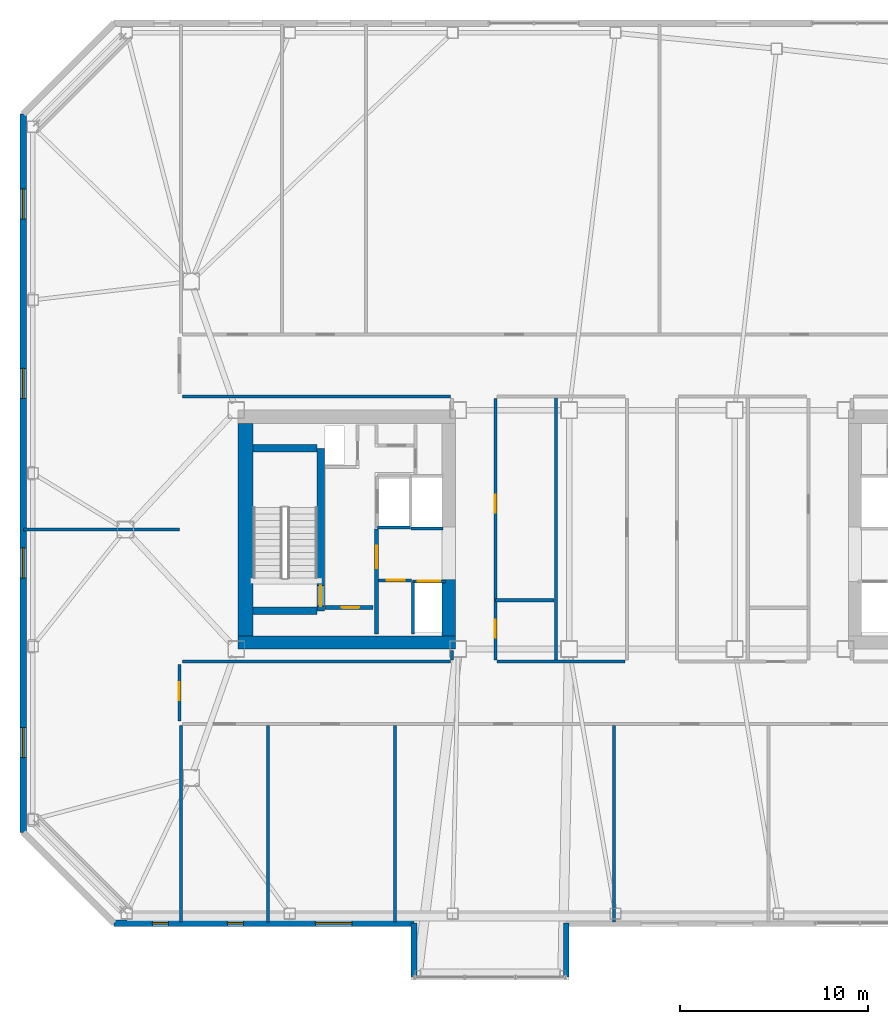
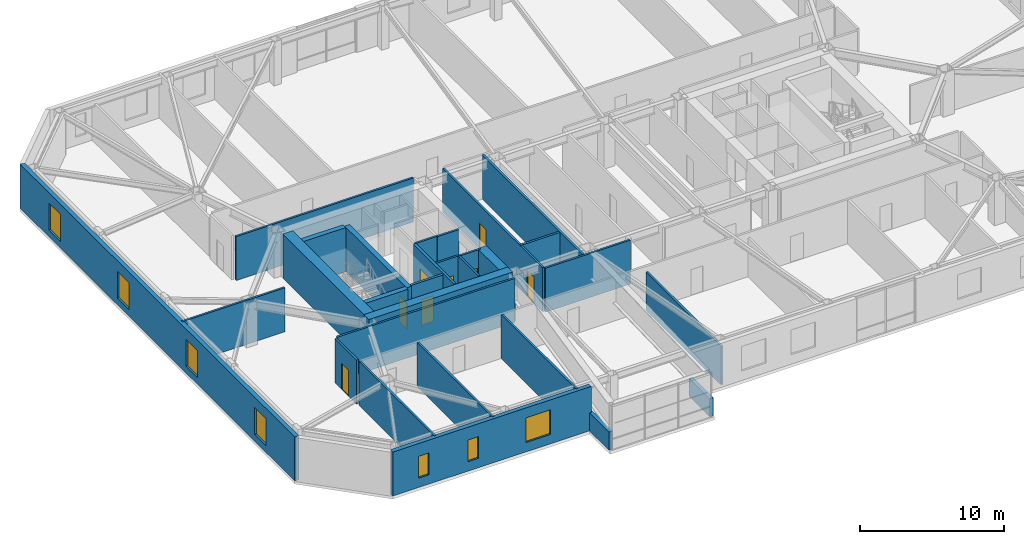
# One storey, part 11 of 19: 30 walls, 8 doors, 7 windows, 15 openings.
"""IFC4 building model written with IfcOpenShell, lengths in metres."""

import ifcopenshell
import ifcopenshell.guid

model = None  # the IFC model being written
_history = None  # IfcOwnerHistory: only IFC2X3 demands one
_inside = {}  # id of a spatial element -> (the spatial element, [elements in it])
_under = {}  # id of a project, library or spatial element -> (it, [spatial elements below it])
_declared = {}  # id of a project -> (the project, [libraries it declares])
_typed = {}  # id of a type object -> (the type object, [elements of that type])
_made_of = {}  # id of a material, layer set ... -> (it, [elements and type objects made of it])


def new_model(schema):
    """Start an empty IFC model of exactly this schema.

    Asked for "IFC4X3", IfcOpenShell would pick the latest addendum, in which some entities
    have other attributes; the version numbers below select the first issue.
    IFC2X3 requires an IfcOwnerHistory on every rooted entity: one is made here for all.
    """
    global model, _history
    if schema == "IFC4X3":
        model = ifcopenshell.file(schema_version=(4, 3, 0, 0))
    else:
        model = ifcopenshell.file(schema=schema)
    _inside.clear()
    _under.clear()
    _declared.clear()
    _typed.clear()
    _made_of.clear()
    _history = None
    if model.schema == "IFC2X3":
        org = make("IfcOrganization", Name="unknown")
        user = make(
            "IfcPersonAndOrganization",
            ThePerson=make("IfcPerson", FamilyName="unknown"),
            TheOrganization=org,
        )
        app = make(
            "IfcApplication",
            ApplicationDeveloper=org,
            Version="unknown",
            ApplicationFullName="unknown",
            ApplicationIdentifier="unknown",
        )
        _history = make(
            "IfcOwnerHistory",
            OwningUser=user,
            OwningApplication=app,
            ChangeAction="ADDED",
            CreationDate=0,
        )
    return model


def make(cls, **values):
    """One entity of the class cls with the attributes given. An attribute that is None is left unset."""
    return model.create_entity(
        cls, **{name: value for name, value in values.items() if value is not None}
    )


def rooted(cls, **values):
    """An entity with a GlobalId (a new one), such as an element, a storey or a relation."""
    return make(cls, GlobalId=ifcopenshell.guid.new(), OwnerHistory=_history, **values)


def si_unit(unit_type, name, prefix=None):
    """IfcSIUnit, for example si_unit("LENGTHUNIT", "METRE", prefix="MILLI")."""
    return make("IfcSIUnit", UnitType=unit_type, Prefix=prefix, Name=name)


def assignment(units):
    """IfcUnitAssignment: the units of a project."""
    return None if units is None else make("IfcUnitAssignment", Units=units)


def point(xyz):
    """IfcCartesianPoint."""
    return None if xyz is None else make("IfcCartesianPoint", Coordinates=xyz)


def direction(xyz):
    """IfcDirection."""
    return None if xyz is None else make("IfcDirection", DirectionRatios=xyz)


def frame(location, z_axis=None, x_axis=None):
    """IfcAxis2Placement3D, a coordinate frame: its origin and axes. An axis left out is left unset."""
    return make(
        "IfcAxis2Placement3D",
        Location=point(location),
        Axis=direction(z_axis),
        RefDirection=direction(x_axis),
    )


def frame_2d(location, x_axis=None):
    """IfcAxis2Placement2D, a coordinate frame in the plane: its origin and x axis."""
    return make(
        "IfcAxis2Placement2D", Location=point(location), RefDirection=direction(x_axis)
    )


def origin():
    """The frame at (0, 0, 0) with its axes left unset."""
    return frame((0.0, 0.0, 0.0))


def place(relative_to, where):
    """IfcLocalPlacement: puts the frame where relative to a parent placement (None: the world)."""
    return make(
        "IfcLocalPlacement", PlacementRelTo=relative_to, RelativePlacement=where
    )


def context(
    kind, dimensions, precision=None, world=None, true_north=None, identifier=None
):
    """IfcGeometricRepresentationContext, for example the 3D "Model" context."""
    return make(
        "IfcGeometricRepresentationContext",
        ContextIdentifier=identifier,
        ContextType=kind,
        CoordinateSpaceDimension=dimensions,
        Precision=precision,
        WorldCoordinateSystem=world,
        TrueNorth=true_north,
    )


def subcontext(parent, identifier, kind, view, scale=None):
    """IfcGeometricRepresentationSubContext, for example "Body" below "Model"."""
    return make(
        "IfcGeometricRepresentationSubContext",
        ContextIdentifier=identifier,
        ContextType=kind,
        ParentContext=parent,
        TargetScale=scale,
        TargetView=view,
    )


def project(units=None, contexts=None):
    """IfcProject with its units and contexts."""
    return rooted(
        "IfcProject",
        Name="project",
        RepresentationContexts=contexts,
        UnitsInContext=assignment(units),
    )


def spatial(cls, under=None, at=None, **own):
    """A site, building, storey or space (cls), placed at a placement, below another one or the project."""
    s = rooted(cls, ObjectPlacement=at, **own)
    if under is not None:
        _under.setdefault(under.id(), (under, []))[1].append(s)
    return s


def profile(cls, at=None, kind="AREA", **sizes):
    """A parametric profile (cls). Its sizes go by their IFC names, for example OverallWidth=200.0."""
    return make(cls, ProfileType=kind, Position=at, **sizes)


def rectangle(**sizes):
    """IfcRectangleProfileDef."""
    return profile("IfcRectangleProfileDef", **sizes)


def extrude(swept, where, along, depth):
    """IfcExtrudedAreaSolid: the profile swept, set in the frame where, extruded along a direction by depth."""
    return make(
        "IfcExtrudedAreaSolid",
        SweptArea=swept,
        Position=where,
        ExtrudedDirection=direction(along),
        Depth=depth,
    )


def shape(context_of_items, identifier, shape_type, items):
    """IfcShapeRepresentation: the items that make up one representation, for example the "Body"."""
    return make(
        "IfcShapeRepresentation",
        ContextOfItems=context_of_items,
        RepresentationIdentifier=identifier,
        RepresentationType=shape_type,
        Items=items,
    )


def material(Name=None, Category=None):
    """IfcMaterial."""
    return make("IfcMaterial", Name=Name, Category=Category)


def layer(
    of_material, thickness, ventilated=None, Name=None, Category=None, Priority=None
):
    """IfcMaterialLayer: one layer of a wall or slab, of a material (None: an air gap)."""
    return make(
        "IfcMaterialLayer",
        Material=of_material,
        LayerThickness=thickness,
        IsVentilated=ventilated,
        Name=Name,
        Category=Category,
        Priority=Priority,
    )


def layer_set(layers, Name=None):
    """IfcMaterialLayerSet."""
    return make("IfcMaterialLayerSet", MaterialLayers=layers, LayerSetName=Name)


def made_of(thing, what):
    """Note that an element or type object is made of a material, layer set ...; save() writes the relation."""
    if what is not None:
        _made_of.setdefault(what.id(), (what, []))[1].append(thing)
    return thing


def type_object(cls, material=None, **own):
    """A type object (cls), such as IfcWallType, which elements share."""
    return made_of(rooted(cls, **own), material)


def element(
    cls,
    number,
    at=None,
    inside=None,
    cuts=None,
    type_object=None,
    material=None,
    context=None,
    identifier="Body",
    shape_type=None,
    held_by="IfcProductDefinitionShape",
    body=None,
    shapes=None,
    **own,
):
    """One element of the class cls, such as IfcWall. Its Tag is "e" and its number.

    at: its placement. inside: the storey or other place that contains it. cuts: it is an
    opening in that element (IfcRelVoidsElement). A single representation is given by context,
    identifier, shape_type and body (its items); several are given by shapes. held_by: the class
    of the entity that holds the representations. save() writes the other relations.
    """
    e = rooted(cls, Tag="e%d" % number, ObjectPlacement=at, **own)
    if body is not None:
        shapes = [shape(context, identifier, shape_type, body)]
    if shapes is not None:
        e.Representation = make(held_by, Representations=shapes)
    if inside is not None:
        _inside.setdefault(inside.id(), (inside, []))[1].append(e)
    if cuts is not None:
        rooted(
            "IfcRelVoidsElement", RelatingBuildingElement=cuts, RelatedOpeningElement=e
        )
    if type_object is not None:
        _typed.setdefault(type_object.id(), (type_object, []))[1].append(e)
    return made_of(e, material)


def fill(opening, filler):
    """IfcRelFillsElement: the door or window that sits in an opening."""
    return rooted(
        "IfcRelFillsElement",
        RelatingOpeningElement=opening,
        RelatedBuildingElement=filler,
    )


def aggregate(whole, parts):
    """IfcRelAggregates: a whole, such as a stair, and the parts it consists of."""
    return rooted("IfcRelAggregates", RelatingObject=whole, RelatedObjects=parts)


def save(model, path):
    """Write the relations noted so far, then the file.

    IfcRelAggregates (storeys below a building ...), IfcRelContainedInSpatialStructure (elements
    in a storey), IfcRelDefinesByType, IfcRelAssociatesMaterial and IfcRelDeclares: one each for
    every whole, place, type object, material and project.
    """
    for whole, parts in _under.values():
        aggregate(whole, parts)
    for where, things in _inside.values():
        rooted(
            "IfcRelContainedInSpatialStructure",
            RelatedElements=things,
            RelatingStructure=where,
        )
    for kind, things in _typed.values():
        rooted("IfcRelDefinesByType", RelatedObjects=things, RelatingType=kind)
    for what, things in _made_of.values():
        rooted("IfcRelAssociatesMaterial", RelatedObjects=things, RelatingMaterial=what)
    for by, libraries in _declared.values():
        rooted("IfcRelDeclares", RelatingContext=by, RelatedDefinitions=libraries)
    model.write(path)


model = new_model("IFC4")

# Units and contexts
model_context = context("Model", 3, precision=1e-05, world=origin(), true_north=direction((0.0, 1.0)))
body_context = subcontext(model_context, "Body", "Model", "MODEL_VIEW")
ifc_project = project(units=[si_unit("LENGTHUNIT", "METRE"), si_unit("AREAUNIT", "SQUARE_METRE"), si_unit("VOLUMEUNIT", "CUBIC_METRE"), si_unit("PLANEANGLEUNIT", "RADIAN"), si_unit("MASSUNIT", "GRAM", prefix="KILO")], contexts=[model_context])

# Site, building, storey
site_placement = place(None, origin())
site = spatial("IfcSite", under=ifc_project, at=site_placement, CompositionType="ELEMENT")
building_placement = place(site_placement, origin())
building = spatial("IfcBuilding", under=site, at=building_placement, Name="Tavrogorsk Clinical Tower", CompositionType="ELEMENT")
storey_placement = place(building_placement, frame((0.0, 0.0, 156.199951171875)))
storey = spatial("IfcBuildingStorey", under=building, at=storey_placement, Name="L35", CompositionType="ELEMENT", Elevation=156.199951171875)

# Wall, opening, door
ifc_material_1 = material(Name="Concrete B60", Category="concrete")
ifc_layer_1 = layer(ifc_material_1, 0.199951171875)
ifc_layer_set_1 = layer_set([ifc_layer_1], Name="Concrete B60")
wall_type_1 = type_object("IfcWallType", Name="CoreFireWall_200", PredefinedType="SOLIDWALL", material=ifc_layer_set_1)
wall_1_placement = place(storey_placement, frame((-17.3798828125, -4.139892578125, 0.0), z_axis=(0.0, 0.0, 1.0), x_axis=(1.0, 0.0, 0.0)))
wall_1 = element("IfcWall", 1, at=wall_1_placement, inside=storey, type_object=wall_type_1, Name="L35 Core West South Core Room Fire Wall", PredefinedType="SOLIDWALL", context=body_context, shape_type="SweptSolid", body=[
    extrude(rectangle(XDim=2.554931640625, YDim=0.199951171875, at=frame_2d((1.27734375, 0.0))), origin(), (0.0, 0.0, 1.0), 3.739990234375),
])
opening_1_placement = place(wall_1_placement, frame((0.8798828125, 0.0, 0.0)))
opening_1 = element("IfcOpeningElement", 2, at=opening_1_placement, cuts=wall_1, Name="Opening ID-02", PredefinedType="OPENING", context=body_context, shape_type="SweptSolid", body=[
    extrude(rectangle(XDim=0.949951171875, YDim=2.199951171875, at=frame_2d((0.47509765625, 1.10009765625))), frame((0.0, 0.10986328125, 0.0), z_axis=(0.0, -1.0, 0.0), x_axis=(1.0, 0.0, 0.0)), (0.0, 0.0, 1.0), 0.219970703125),
])
ifc_material_2 = material(Name="Laminated timber leaf on aluminium frame", Category="wood")
door_type_1 = type_object("IfcDoorType", Name="InteriorDoor_ID02_950", OperationType="NOTDEFINED", PredefinedType="DOOR", material=ifc_material_2)
door_1_placement = place(opening_1_placement, origin())
door_1 = element("IfcDoor", 3, at=door_1_placement, inside=storey, type_object=door_type_1, Name="L35 Core West South Core Room Door", OperationType="SINGLE_SWING_RIGHT", OverallHeight=2.199951171875, OverallWidth=0.949951171875, PredefinedType="DOOR", context=body_context, shape_type="SweptSolid", body=[
    extrude(rectangle(XDim=0.949951171875, YDim=2.199951171875, at=frame_2d((0.47509765625, 1.10009765625))), frame((0.0, 0.02490234375, 0.0), z_axis=(0.0, -1.0, 0.0), x_axis=(1.0, 0.0, 0.0)), (0.0, 0.0, 1.0), 0.050048828125),
])
fill(opening_1, door_1)

wall_2_placement = place(storey_placement, frame((-14.639892578125, -5.56005859375, 0.0), z_axis=(0.0, 0.0, 1.0), x_axis=(0.0, 1.0, 0.0)))
wall_2 = element("IfcWall", 4, at=wall_2_placement, inside=storey, type_object=wall_type_1, Name="L35 Core West Firefighting Lobby Fire Wall", PredefinedType="SOLIDWALL", context=body_context, shape_type="SweptSolid", body=[
    extrude(rectangle(XDim=5.60009765625, YDim=0.199951171875, at=frame_2d((2.800048828125, 0.0))), origin(), (0.0, 0.0, 1.0), 3.739990234375),
])
opening_2_placement = place(wall_2_placement, frame((3.510009765625, 0.0, 0.0)))
opening_2 = element("IfcOpeningElement", 5, at=opening_2_placement, cuts=wall_2, Name="Opening FD-01", PredefinedType="OPENING", context=body_context, shape_type="SweptSolid", body=[
    extrude(rectangle(XDim=1.199951171875, YDim=2.199951171875, at=frame_2d((0.60009765625, 1.10009765625))), frame((0.0, 0.10986328125, 0.0), z_axis=(0.0, -1.0, 0.0), x_axis=(1.0, 0.0, 0.0)), (0.0, 0.0, 1.0), 0.219970703125),
])
ifc_material_3 = material(Name="Galvanised steel fire-rated door assembly", Category="steel")
door_type_2 = type_object("IfcDoorType", Name="FireDoor_FD01_1200", OperationType="NOTDEFINED", PredefinedType="DOOR", material=ifc_material_3)
door_2_placement = place(opening_2_placement, origin())
door_2 = element("IfcDoor", 6, at=door_2_placement, inside=storey, type_object=door_type_2, Name="L35 Core West Firefighting Lobby Entry Door", OperationType="SINGLE_SWING_RIGHT", OverallHeight=2.199951171875, OverallWidth=1.199951171875, PredefinedType="DOOR", context=body_context, shape_type="SweptSolid", body=[
    extrude(rectangle(XDim=1.199951171875, YDim=2.199951171875, at=frame_2d((0.60009765625, 1.10009765625))), frame((0.0, 0.02490234375, 0.0), z_axis=(0.0, -1.0, 0.0), x_axis=(1.0, 0.0, 0.0)), (0.0, 0.0, 1.0), 0.050048828125),
])
fill(opening_2, door_2)

ifc_material_4 = material(Name="Lightweight concrete blockwork B15", Category="masonry")
ifc_layer_2 = layer(ifc_material_4, 0.159912109375)
ifc_layer_set_2 = layer_set([ifc_layer_2], Name="Lightweight concrete blockwork B15")
wall_type_2 = type_object("IfcWallType", Name="PartitionWall_160", PredefinedType="PARTITIONING", material=ifc_layer_set_2)
wall_3_placement = place(storey_placement, frame((-14.534912109375, -2.699951171875, 0.0), z_axis=(0.0, 0.0, 1.0), x_axis=(1.0, 0.0, 0.0)))
wall_3 = element("IfcWall", 7, at=wall_3_placement, inside=storey, type_object=wall_type_2, Name="L35 Core West Freed Low-Bank North Partition", PredefinedType="PARTITIONING", context=body_context, shape_type="SweptSolid", body=[
    extrude(rectangle(XDim=1.760009765625, YDim=0.159912109375, at=frame_2d((0.8798828125, 0.0))), origin(), (0.0, 0.0, 1.0), 3.739990234375),
])
opening_3_placement = place(wall_3_placement, frame((0.449951171875, 0.0, 0.0)))
opening_3 = element("IfcOpeningElement", 8, at=opening_3_placement, cuts=wall_3, Name="Opening ID-02", PredefinedType="OPENING", context=body_context, shape_type="SweptSolid", body=[
    extrude(rectangle(XDim=0.949951171875, YDim=2.199951171875, at=frame_2d((0.47509765625, 1.10009765625))), frame((0.0, 0.08984375, 0.0), z_axis=(0.0, -1.0, 0.0), x_axis=(1.0, 0.0, 0.0)), (0.0, 0.0, 1.0), 0.179931640625),
])
door_3_placement = place(opening_3_placement, origin())
door_3 = element("IfcDoor", 9, at=door_3_placement, inside=storey, type_object=door_type_1, Name="L35 Core West Biomedical Alcove Door", OperationType="SINGLE_SWING_LEFT", OverallHeight=2.199951171875, OverallWidth=0.949951171875, PredefinedType="DOOR", context=body_context, shape_type="SweptSolid", body=[
    extrude(rectangle(XDim=0.949951171875, YDim=2.199951171875, at=frame_2d((0.47509765625, 1.10009765625))), frame((0.0, 0.02490234375, 0.0), z_axis=(0.0, -1.0, 0.0), x_axis=(1.0, 0.0, 0.0)), (0.0, 0.0, 1.0), 0.050048828125),
])
fill(opening_3, door_3)

wall_4_placement = place(storey_placement, frame((-25.1298828125, -10.1650390625, 0.0), z_axis=(0.0, 0.0, 1.0), x_axis=(0.0, 1.0, 0.0)))
wall_4 = element("IfcWall", 10, at=wall_4_placement, inside=storey, type_object=wall_type_2, Name="L35 Corridor Partition 01", PredefinedType="PARTITIONING", context=body_context, shape_type="SweptSolid", body=[
    extrude(rectangle(XDim=2.97998046875, YDim=0.159912109375, at=frame_2d((1.489990234375, 0.0))), origin(), (0.0, 0.0, 1.0), 3.739990234375),
])
opening_4_placement = place(wall_4_placement, frame((1.10009765625, 0.0, 0.0)))
opening_4 = element("IfcOpeningElement", 11, at=opening_4_placement, cuts=wall_4, Name="Opening ID-02", PredefinedType="OPENING", context=body_context, shape_type="SweptSolid", body=[
    extrude(rectangle(XDim=0.949951171875, YDim=2.199951171875, at=frame_2d((0.47509765625, 1.10009765625))), frame((0.0, 0.08984375, 0.0), z_axis=(0.0, -1.0, 0.0), x_axis=(1.0, 0.0, 0.0)), (0.0, 0.0, 1.0), 0.179931640625),
])
door_4_placement = place(opening_4_placement, origin())
door_4 = element("IfcDoor", 12, at=door_4_placement, inside=storey, type_object=door_type_1, Name="L35 W Solarium Day Room & Lounge 1 Door", OperationType="SINGLE_SWING_RIGHT", OverallHeight=2.199951171875, OverallWidth=0.949951171875, PredefinedType="DOOR", context=body_context, shape_type="SweptSolid", body=[
    extrude(rectangle(XDim=0.949951171875, YDim=2.199951171875, at=frame_2d((0.47509765625, 1.10009765625))), frame((0.0, 0.02490234375, 0.0), z_axis=(0.0, -1.0, 0.0), x_axis=(1.0, 0.0, 0.0)), (0.0, 0.0, 1.0), 0.050048828125),
])
fill(opening_4, door_4)

# Walls
wall_5_placement = place(storey_placement, frame((-24.965087890625, -7.02001953125, 0.0), z_axis=(0.0, 0.0, 1.0), x_axis=(1.0, 0.0, 0.0)))
element("IfcWall", 13, at=wall_5_placement, inside=storey, type_object=wall_type_2, Name="L35 Corridor Partition 02", PredefinedType="PARTITIONING", context=body_context, shape_type="SweptSolid", body=[
    extrude(rectangle(XDim=14.25, YDim=0.159912109375, at=frame_2d((7.125, 0.0))), origin(), (0.0, 0.0, 1.0), 3.739990234375),
])
wall_6_placement = place(storey_placement, frame((-10.6298828125, -6.93505859375, 0.0), z_axis=(0.0, 0.0, 1.0), x_axis=(0.0, 1.0, 0.0)))
element("IfcWall", 14, at=wall_6_placement, inside=storey, type_object=wall_type_2, Name="L35 Corridor Partition 03", PredefinedType="PARTITIONING", context=body_context, shape_type="SweptSolid", body=[
    extrude(rectangle(XDim=0.51513671875, YDim=0.159912109375, at=frame_2d((0.257568359375, 0.0))), origin(), (0.0, 0.0, 1.0), 1.53515625),
])
wall_7_placement = place(storey_placement, frame((-10.715087890625, 7.070068359375, 0.0), z_axis=(0.0, 0.0, 1.0), x_axis=(-1.0, 0.0, 0.0)))
element("IfcWall", 15, at=wall_7_placement, inside=storey, type_object=wall_type_2, Name="L35 Corridor Partition 05", PredefinedType="PARTITIONING", context=body_context, shape_type="SweptSolid", body=[
    extrude(rectangle(XDim=14.25, YDim=0.159912109375, at=frame_2d((7.125, 0.0))), origin(), (0.0, 0.0, 1.0), 3.739990234375),
])

# Wall, openings, doors
wall_8_placement = place(storey_placement, frame((-8.320068359375, 6.985107421875, 0.0), z_axis=(0.0, 0.0, 1.0), x_axis=(0.0, -1.0, 0.0)))
wall_8 = element("IfcWall", 16, at=wall_8_placement, inside=storey, type_object=wall_type_2, Name="L35 Corridor Partition 21", PredefinedType="PARTITIONING", context=body_context, shape_type="SweptSolid", body=[
    extrude(rectangle(XDim=13.920166015625, YDim=0.159912109375, at=frame_2d((6.9599609375, 0.0))), origin(), (0.0, 0.0, 1.0), 3.739990234375),
])
opening_5_placement = place(wall_8_placement, frame((11.785888671875, 0.0, 0.0)))
opening_5 = element("IfcOpeningElement", 17, at=opening_5_placement, cuts=wall_8, Name="Opening ID-02", PredefinedType="OPENING", context=body_context, shape_type="SweptSolid", body=[
    extrude(rectangle(XDim=0.949951171875, YDim=2.199951171875, at=frame_2d((0.47509765625, 1.10009765625))), frame((0.0, 0.08984375, 0.0), z_axis=(0.0, -1.0, 0.0), x_axis=(1.0, 0.0, 0.0)), (0.0, 0.0, 1.0), 0.179931640625),
])
opening_6_placement = place(wall_8_placement, frame((5.129150390625, 0.0, 0.0)))
opening_6 = element("IfcOpeningElement", 18, at=opening_6_placement, cuts=wall_8, Name="Opening ID-02", PredefinedType="OPENING", context=body_context, shape_type="SweptSolid", body=[
    extrude(rectangle(XDim=0.949951171875, YDim=2.199951171875, at=frame_2d((0.47509765625, 1.10009765625))), frame((0.0, 0.08984375, 0.0), z_axis=(0.0, -1.0, 0.0), x_axis=(1.0, 0.0, 0.0)), (0.0, 0.0, 1.0), 0.179931640625),
])
door_5_placement = place(opening_5_placement, origin())
door_5 = element("IfcDoor", 19, at=door_5_placement, inside=storey, type_object=door_type_1, Name="L35 Accessible Patient Lavatory Door", OperationType="SINGLE_SWING_RIGHT", OverallHeight=2.199951171875, OverallWidth=0.949951171875, PredefinedType="DOOR", context=body_context, shape_type="SweptSolid", body=[
    extrude(rectangle(XDim=0.949951171875, YDim=2.199951171875, at=frame_2d((0.47509765625, 1.10009765625))), frame((0.0, 0.02490234375, 0.0), z_axis=(0.0, -1.0, 0.0), x_axis=(1.0, 0.0, 0.0)), (0.0, 0.0, 1.0), 0.050048828125),
])
fill(opening_5, door_5)
door_6_placement = place(opening_6_placement, origin())
door_6 = element("IfcDoor", 20, at=door_6_placement, inside=storey, type_object=door_type_1, Name="L35 Ward Nourishment Pantry Door", OperationType="SINGLE_SWING_LEFT", OverallHeight=2.199951171875, OverallWidth=0.949951171875, PredefinedType="DOOR", context=body_context, shape_type="SweptSolid", body=[
    extrude(rectangle(XDim=0.949951171875, YDim=2.199951171875, at=frame_2d((0.47509765625, 1.10009765625))), frame((0.0, 0.02490234375, 0.0), z_axis=(0.0, -1.0, 0.0), x_axis=(1.0, 0.0, 0.0)), (0.0, 0.0, 1.0), 0.050048828125),
])
fill(opening_6, door_6)

# Walls
wall_9_placement = place(storey_placement, frame((-8.235107421875, -7.02001953125, 0.0), z_axis=(0.0, 0.0, 1.0), x_axis=(1.0, 0.0, 0.0)))
element("IfcWall", 21, at=wall_9_placement, inside=storey, type_object=wall_type_2, Name="L35 Corridor Partition 22", PredefinedType="PARTITIONING", context=body_context, shape_type="SweptSolid", body=[
    extrude(rectangle(XDim=6.820068359375, YDim=0.159912109375, at=frame_2d((3.41015625, 0.0))), origin(), (0.0, 0.0, 1.0), 3.739990234375),
])
for number, where, z_axis, x_axis, name in (
    (22, (-25.050048828125, -20.860107421875, 0.0), (0.0, 0.0, 1.0), (0.0, 1.0, 0.0), "L35 SW Wing Closure Partition"),
    (23, (-20.39990234375, -20.860107421875, 0.0), (0.0, 0.0, 1.0), (0.0, 1.0, 0.0), "L35 South Room Partition 1"),
    (24, (-13.64990234375, -20.860107421875, 0.0), (0.0, 0.0, 1.0), (0.0, 1.0, 0.0), "L35 South Room Partition 2"),
):
    element("IfcWall", number, at=place(storey_placement, frame(where, z_axis=z_axis, x_axis=x_axis)), inside=storey, type_object=wall_type_2, Name=name, PredefinedType="PARTITIONING", context=body_context, shape_type="SweptSolid", body=[
        extrude(rectangle(XDim=10.445068359375, YDim=0.159912109375, at=frame_2d((5.22265625, 0.0))), origin(), (0.0, 0.0, 1.0), 3.739990234375),
    ])
wall_10_placement = place(storey_placement, frame((-2.0, -20.860107421875, 0.0), z_axis=(0.0, 0.0, 1.0), x_axis=(0.0, 1.0, 0.0)))
element("IfcWall", 25, at=wall_10_placement, inside=storey, type_object=wall_type_2, Name="L35 South Room Partition 3", PredefinedType="PARTITIONING", context=body_context, shape_type="SweptSolid", body=[
    extrude(rectangle(XDim=10.445068359375, YDim=0.159912109375, at=frame_2d((5.22265625, 0.0))), origin(), (0.0, 0.0, 1.0), 3.28515625),
])
wall_11_placement = place(storey_placement, frame((-33.409912109375, 0.0, 0.0), z_axis=(0.0, 0.0, 1.0), x_axis=(1.0, 0.0, 0.0)))
element("IfcWall", 26, at=wall_11_placement, inside=storey, type_object=wall_type_2, Name="L35 W Wing Divider 1", PredefinedType="PARTITIONING", context=body_context, shape_type="SweptSolid", body=[
    extrude(rectangle(XDim=8.280029296875, YDim=0.159912109375, at=frame_2d((4.14013671875, 0.0))), origin(), (0.0, 0.0, 1.0), 3.739990234375),
])
ifc_material_5 = material(Name="Lightweight concrete blockwork B20", Category="masonry")
ifc_layer_3 = layer(ifc_material_5, 0.179931640625)
ifc_layer_set_3 = layer_set([ifc_layer_3], Name="Lightweight concrete blockwork B20")
wall_type_3 = type_object("IfcWallType", Name="PartitionWall_180", PredefinedType="PARTITIONING", material=ifc_layer_set_3)
wall_12_placement = place(storey_placement, frame((-5.10009765625, -7.014892578125, 0.0), z_axis=(0.0, 0.0, 1.0), x_axis=(0.0, 1.0, 0.0)))
element("IfcWall", 27, at=wall_12_placement, inside=storey, type_object=wall_type_3, Name="L35 Central Spine Partition 1", PredefinedType="PARTITIONING", context=body_context, shape_type="SweptSolid", body=[
    extrude(rectangle(XDim=14.079833984375, YDim=0.179931640625, at=frame_2d((7.0400390625, 0.0))), origin(), (0.0, 0.0, 1.0), 3.739990234375),
])
wall_13_placement = place(storey_placement, frame((-8.31494140625, -3.75, 0.0), z_axis=(0.0, 0.0, 1.0), x_axis=(1.0, 0.0, 0.0)))
element("IfcWall", 28, at=wall_13_placement, inside=storey, type_object=wall_type_3, Name="L35 Central Spine Partition 3", PredefinedType="PARTITIONING", context=body_context, shape_type="SweptSolid", body=[
    extrude(rectangle(XDim=3.119873046875, YDim=0.179931640625, at=frame_2d((1.56005859375, 0.0))), origin(), (0.0, 0.0, 1.0), 3.739990234375),
])

# Wall, openings, windows
ifc_material_6 = material(Name="Precast concrete B45 with limestone cladding", Category="masonry")
ifc_layer_4 = layer(ifc_material_6, 0.340087890625)
ifc_layer_set_4 = layer_set([ifc_layer_4], Name="Precast concrete B45 with limestone cladding")
wall_type_4 = type_object("IfcWallType", Name="PrecastLimestoneWall_340", PredefinedType="STANDARD", material=ifc_layer_set_4)
wall_14_placement = place(storey_placement, frame((-28.60009765625, -20.929931640625, 0.0), z_axis=(0.0, 0.0, 1.0), x_axis=(1.0, 0.0, 0.0)))
wall_14 = element("IfcWall", 29, at=wall_14_placement, inside=storey, type_object=wall_type_4, Name="L35 S Limestone Facade Wall 1", PredefinedType="STANDARD", context=body_context, shape_type="SweptSolid", body=[
    extrude(rectangle(XDim=15.9501953125, YDim=0.340087890625, at=frame_2d((7.97509765625, 0.0))), origin(), (0.0, 0.0, 1.0), 3.739990234375),
])
opening_7_placement = place(wall_14_placement, frame((2.0439453125, 0.0, 0.800048828125)))
opening_7 = element("IfcOpeningElement", 30, at=opening_7_placement, cuts=wall_14, Name="Opening WN-06", PredefinedType="OPENING", context=body_context, shape_type="SweptSolid", body=[
    extrude(rectangle(XDim=0.85009765625, YDim=1.85009765625, at=frame_2d((0.425048828125, 0.925048828125))), frame((0.0, 0.179931640625, 0.0), z_axis=(0.0, -1.0, 0.0), x_axis=(1.0, 0.0, 0.0)), (0.0, 0.0, 1.0), 0.360107421875),
])
opening_8_placement = place(wall_14_placement, frame((6.02880859375, 0.0, 0.800048828125)))
opening_8 = element("IfcOpeningElement", 31, at=opening_8_placement, cuts=wall_14, Name="Opening WN-06", PredefinedType="OPENING", context=body_context, shape_type="SweptSolid", body=[
    extrude(rectangle(XDim=0.85009765625, YDim=1.85009765625, at=frame_2d((0.425048828125, 0.925048828125))), frame((0.0, 0.179931640625, 0.0), z_axis=(0.0, -1.0, 0.0), x_axis=(1.0, 0.0, 0.0)), (0.0, 0.0, 1.0), 0.360107421875),
])
opening_9_placement = place(wall_14_placement, frame((10.706787109375, 0.0, 0.800048828125)))
opening_9 = element("IfcOpeningElement", 32, at=opening_9_placement, cuts=wall_14, Name="Opening WN-13", PredefinedType="OPENING", context=body_context, shape_type="SweptSolid", body=[
    extrude(rectangle(XDim=1.949951171875, YDim=2.10009765625, at=frame_2d((0.97509765625, 1.050048828125))), frame((0.0, 0.179931640625, 0.0), z_axis=(0.0, -1.0, 0.0), x_axis=(1.0, 0.0, 0.0)), (0.0, 0.0, 1.0), 0.360107421875),
])
ifc_material_7 = material(Name="Thermally broken aluminium frame and triple IGU", Category="aluminium")
window_type_1 = type_object("IfcWindowType", Name="ExamRoomWin_1950x2100", PartitioningType="DOUBLE_PANEL_VERTICAL", PredefinedType="WINDOW", material=ifc_material_7)
window_1_placement = place(opening_9_placement, origin())
window_1 = element("IfcWindow", 33, at=window_1_placement, inside=storey, type_object=window_type_1, Name="L35 S Chicago Window 03", OverallHeight=2.10009765625, OverallWidth=1.949951171875, PartitioningType="SINGLE_PANEL", PredefinedType="WINDOW", context=body_context, shape_type="SweptSolid", body=[
    extrude(rectangle(XDim=1.949951171875, YDim=2.10009765625, at=frame_2d((0.97509765625, 1.050048828125))), frame((0.0, 0.030029296875, 0.0), z_axis=(0.0, -1.0, 0.0), x_axis=(1.0, 0.0, 0.0)), (0.0, 0.0, 1.0), 0.06005859375),
])
fill(opening_9, window_1)
ifc_material_8 = material(Name="Thermally broken aluminium frame and triple IGU", Category="aluminium")
window_type_2 = type_object("IfcWindowType", Name="MullionSubWin_850x1850", PartitioningType="SINGLE_PANEL", PredefinedType="WINDOW", material=ifc_material_8)
window_2_placement = place(opening_7_placement, origin())
window_2 = element("IfcWindow", 34, at=window_2_placement, inside=storey, type_object=window_type_2, Name="L35 S Mullion Split Window 01A", OverallHeight=1.85009765625, OverallWidth=0.85009765625, PartitioningType="SINGLE_PANEL", PredefinedType="WINDOW", context=body_context, shape_type="SweptSolid", body=[
    extrude(rectangle(XDim=0.85009765625, YDim=1.85009765625, at=frame_2d((0.425048828125, 0.925048828125))), frame((0.0, 0.030029296875, 0.0), z_axis=(0.0, -1.0, 0.0), x_axis=(1.0, 0.0, 0.0)), (0.0, 0.0, 1.0), 0.06005859375),
])
fill(opening_7, window_2)
window_3_placement = place(opening_8_placement, origin())
window_3 = element("IfcWindow", 35, at=window_3_placement, inside=storey, type_object=window_type_2, Name="L35 S Mullion Split Window 02A", OverallHeight=1.85009765625, OverallWidth=0.85009765625, PartitioningType="SINGLE_PANEL", PredefinedType="WINDOW", context=body_context, shape_type="SweptSolid", body=[
    extrude(rectangle(XDim=0.85009765625, YDim=1.85009765625, at=frame_2d((0.425048828125, 0.925048828125))), frame((0.0, 0.030029296875, 0.0), z_axis=(0.0, -1.0, 0.0), x_axis=(1.0, 0.0, 0.0)), (0.0, 0.0, 1.0), 0.06005859375),
])
fill(opening_8, window_3)

wall_15_placement = place(storey_placement, frame((-33.429931640625, 22.10009765625, 0.0), z_axis=(0.0, 0.0, 1.0), x_axis=(0.0, -1.0, 0.0)))
wall_15 = element("IfcWall", 36, at=wall_15_placement, inside=storey, type_object=wall_type_4, Name="L35 W Pleated Limestone Wing Wall", PredefinedType="STANDARD", context=body_context, shape_type="SweptSolid", body=[
    extrude(rectangle(XDim=38.2001953125, YDim=0.340087890625, at=frame_2d((19.10009765625, 0.0))), origin(), (0.0, 0.0, 1.0), 3.739990234375),
])
opening_10_placement = place(wall_15_placement, frame((3.97509765625, 0.0, 0.580078125)))
opening_10 = element("IfcOpeningElement", 37, at=opening_10_placement, cuts=wall_15, Name="Opening WN-07", PredefinedType="OPENING", context=body_context, shape_type="SweptSolid", body=[
    extrude(rectangle(XDim=1.60009765625, YDim=2.300048828125, at=frame_2d((0.800048828125, 1.14990234375))), frame((0.0, 0.179931640625, 0.0), z_axis=(0.0, -1.0, 0.0), x_axis=(1.0, 0.0, 0.0)), (0.0, 0.0, 1.0), 0.360107421875),
])
opening_11_placement = place(wall_15_placement, frame((13.52490234375, 0.0, 0.580078125)))
opening_11 = element("IfcOpeningElement", 38, at=opening_11_placement, cuts=wall_15, Name="Opening WN-07", PredefinedType="OPENING", context=body_context, shape_type="SweptSolid", body=[
    extrude(rectangle(XDim=1.60009765625, YDim=2.300048828125, at=frame_2d((0.800048828125, 1.14990234375))), frame((0.0, 0.179931640625, 0.0), z_axis=(0.0, -1.0, 0.0), x_axis=(1.0, 0.0, 0.0)), (0.0, 0.0, 1.0), 0.360107421875),
])
opening_12_placement = place(wall_15_placement, frame((23.074951171875, 0.0, 0.580078125)))
opening_12 = element("IfcOpeningElement", 39, at=opening_12_placement, cuts=wall_15, Name="Opening WN-07", PredefinedType="OPENING", context=body_context, shape_type="SweptSolid", body=[
    extrude(rectangle(XDim=1.60009765625, YDim=2.300048828125, at=frame_2d((0.800048828125, 1.14990234375))), frame((0.0, 0.179931640625, 0.0), z_axis=(0.0, -1.0, 0.0), x_axis=(1.0, 0.0, 0.0)), (0.0, 0.0, 1.0), 0.360107421875),
])
opening_13_placement = place(wall_15_placement, frame((32.625, 0.0, 0.580078125)))
opening_13 = element("IfcOpeningElement", 40, at=opening_13_placement, cuts=wall_15, Name="Opening WN-07", PredefinedType="OPENING", context=body_context, shape_type="SweptSolid", body=[
    extrude(rectangle(XDim=1.60009765625, YDim=2.300048828125, at=frame_2d((0.800048828125, 1.14990234375))), frame((0.0, 0.179931640625, 0.0), z_axis=(0.0, -1.0, 0.0), x_axis=(1.0, 0.0, 0.0)), (0.0, 0.0, 1.0), 0.360107421875),
])
ifc_material_9 = material(Name="Thermally broken aluminium frame and triple IGU", Category="aluminium")
window_type_3 = type_object("IfcWindowType", Name="PleatSlotWin_1600x2300", PartitioningType="SINGLE_PANEL", PredefinedType="WINDOW", material=ifc_material_9)
window_4_placement = place(opening_10_placement, origin())
window_4 = element("IfcWindow", 41, at=window_4_placement, inside=storey, type_object=window_type_3, Name="L35 W Pleat Slot Window 1", OverallHeight=2.300048828125, OverallWidth=1.60009765625, PartitioningType="SINGLE_PANEL", PredefinedType="WINDOW", context=body_context, shape_type="SweptSolid", body=[
    extrude(rectangle(XDim=1.60009765625, YDim=2.300048828125, at=frame_2d((0.800048828125, 1.14990234375))), frame((0.0, 0.030029296875, 0.0), z_axis=(0.0, -1.0, 0.0), x_axis=(1.0, 0.0, 0.0)), (0.0, 0.0, 1.0), 0.06005859375),
])
fill(opening_10, window_4)
window_5_placement = place(opening_11_placement, origin())
window_5 = element("IfcWindow", 42, at=window_5_placement, inside=storey, type_object=window_type_3, Name="L35 W Pleat Slot Window 2", OverallHeight=2.300048828125, OverallWidth=1.60009765625, PartitioningType="SINGLE_PANEL", PredefinedType="WINDOW", context=body_context, shape_type="SweptSolid", body=[
    extrude(rectangle(XDim=1.60009765625, YDim=2.300048828125, at=frame_2d((0.800048828125, 1.14990234375))), frame((0.0, 0.030029296875, 0.0), z_axis=(0.0, -1.0, 0.0), x_axis=(1.0, 0.0, 0.0)), (0.0, 0.0, 1.0), 0.06005859375),
])
fill(opening_11, window_5)
window_6_placement = place(opening_12_placement, origin())
window_6 = element("IfcWindow", 43, at=window_6_placement, inside=storey, type_object=window_type_3, Name="L35 W Pleat Slot Window 3", OverallHeight=2.300048828125, OverallWidth=1.60009765625, PartitioningType="SINGLE_PANEL", PredefinedType="WINDOW", context=body_context, shape_type="SweptSolid", body=[
    extrude(rectangle(XDim=1.60009765625, YDim=2.300048828125, at=frame_2d((0.800048828125, 1.14990234375))), frame((0.0, 0.030029296875, 0.0), z_axis=(0.0, -1.0, 0.0), x_axis=(1.0, 0.0, 0.0)), (0.0, 0.0, 1.0), 0.06005859375),
])
fill(opening_12, window_6)
window_7_placement = place(opening_13_placement, origin())
window_7 = element("IfcWindow", 44, at=window_7_placement, inside=storey, type_object=window_type_3, Name="L35 W Pleat Slot Window 4", OverallHeight=2.300048828125, OverallWidth=1.60009765625, PartitioningType="SINGLE_PANEL", PredefinedType="WINDOW", context=body_context, shape_type="SweptSolid", body=[
    extrude(rectangle(XDim=1.60009765625, YDim=2.300048828125, at=frame_2d((0.800048828125, 1.14990234375))), frame((0.0, 0.030029296875, 0.0), z_axis=(0.0, -1.0, 0.0), x_axis=(1.0, 0.0, 0.0)), (0.0, 0.0, 1.0), 0.06005859375),
])
fill(opening_13, window_7)

# Wall
ifc_material_10 = material(Name="Lightweight concrete blockwork B25", Category="masonry")
ifc_layer_5 = layer(ifc_material_10, 0.159912109375)
ifc_layer_set_5 = layer_set([ifc_layer_5], Name="Lightweight concrete blockwork B25")
wall_type_5 = type_object("IfcWallType", Name="ShaftWall_160", PredefinedType="PARTITIONING", material=ifc_layer_set_5)
wall_16_placement = place(storey_placement, frame((-14.60009765625, 0.10009765625, 0.0), z_axis=(0.0, 0.0, 1.0), x_axis=(1.0, 0.0, 0.0)))
element("IfcWall", 45, at=wall_16_placement, inside=storey, type_object=wall_type_5, Name="L35 FFL-W Shaft South Wall", PredefinedType="PARTITIONING", context=body_context, shape_type="SweptSolid", body=[
    extrude(rectangle(XDim=1.760009765625, YDim=0.159912109375, at=frame_2d((0.8798828125, 0.0))), origin(), (0.0, 0.0, 1.0), 3.739990234375),
])

# Wall, opening, door
wall_17_placement = place(storey_placement, frame((-12.72998046875, -2.75, 0.0), z_axis=(0.0, 0.0, 1.0), x_axis=(1.0, 0.0, 0.0)))
wall_17 = element("IfcWall", 46, at=wall_17_placement, inside=storey, type_object=wall_type_5, Name="L35 LP-M1 Lift Shaft Portal Wall", PredefinedType="PARTITIONING", context=body_context, shape_type="SweptSolid", body=[
    extrude(rectangle(XDim=1.760009765625, YDim=0.159912109375, at=frame_2d((0.8798828125, 0.0))), origin(), (0.0, 0.0, 1.0), 3.739990234375),
])
opening_14_placement = place(wall_17_placement, frame((0.280029296875, 0.0, 0.0)))
opening_14 = element("IfcOpeningElement", 47, at=opening_14_placement, cuts=wall_17, Name="Opening LD", PredefinedType="OPENING", context=body_context, shape_type="SweptSolid", body=[
    extrude(rectangle(XDim=1.199951171875, YDim=2.199951171875, at=frame_2d((0.60009765625, 1.10009765625))), frame((0.0, 0.08984375, 0.0), z_axis=(0.0, -1.0, 0.0), x_axis=(1.0, 0.0, 0.0)), (0.0, 0.0, 1.0), 0.179931640625),
])
ifc_material_11 = material(Name="Brushed stainless steel AISI 304 sliding doors", Category="steel")
door_type_3 = type_object("IfcDoorType", Name="LiftLandingDoor_LD_1200", OperationType="SLIDING_TO_LEFT", PredefinedType="DOOR", material=ifc_material_11)
door_7_placement = place(opening_14_placement, origin())
door_7 = element("IfcDoor", 48, at=door_7_placement, inside=storey, type_object=door_type_3, Name="L35 LP-M1 Sliding Lift Landing Door", OperationType="SLIDING_TO_LEFT", OverallHeight=2.199951171875, OverallWidth=1.199951171875, PredefinedType="DOOR", context=body_context, shape_type="SweptSolid", body=[
    extrude(rectangle(XDim=1.199951171875, YDim=2.199951171875, at=frame_2d((0.60009765625, 1.10009765625))), frame((0.0, 0.02490234375, 0.0), z_axis=(0.0, -1.0, 0.0), x_axis=(1.0, 0.0, 0.0)), (0.0, 0.0, 1.0), 0.050048828125),
])
fill(opening_14, door_7)

# Walls
wall_18_placement = place(storey_placement, frame((-12.820068359375, 0.06005859375, 0.0), z_axis=(0.0, 0.0, 1.0), x_axis=(1.0, 0.0, 0.0)))
element("IfcWall", 49, at=wall_18_placement, inside=storey, type_object=wall_type_5, Name="L35 LP-H1 High-Zone Lift Portal Wall", PredefinedType="PARTITIONING", context=body_context, shape_type="SweptSolid", body=[
    extrude(rectangle(XDim=1.719970703125, YDim=0.159912109375, at=frame_2d((0.85986328125, 0.0))), origin(), (0.0, 0.0, 1.0), 3.739990234375),
])
wall_19_placement = place(storey_placement, frame((-12.68994140625, -5.56005859375, 0.0), z_axis=(0.0, 0.0, 1.0), x_axis=(0.0, 1.0, 0.0)))
element("IfcWall", 50, at=wall_19_placement, inside=storey, type_object=wall_type_5, Name="L35 Core West Freed Low-Bank Shaft Divider", PredefinedType="PARTITIONING", context=body_context, shape_type="SweptSolid", body=[
    extrude(rectangle(XDim=2.775146484375, YDim=0.159912109375, at=frame_2d((1.3876953125, 0.0))), origin(), (0.0, 0.0, 1.0), 3.739990234375),
])

# Wall, opening, door
ifc_material_12 = material(Name="Concrete B80", Category="concrete")
ifc_layer_6 = layer(ifc_material_12, 0.39990234375)
ifc_layer_set_6 = layer_set([ifc_layer_6], Name="Concrete B80")
wall_type_6 = type_object("IfcWallType", Name="ShearWall_400", PredefinedType="SHEAR", material=ifc_layer_set_6)
wall_20_placement = place(storey_placement, frame((-17.60009765625, -4.324951171875, 0.0), z_axis=(0.0, 0.0, 1.0), x_axis=(0.0, 1.0, 0.0)))
wall_20 = element("IfcWall", 51, at=wall_20_placement, inside=storey, type_object=wall_type_6, Name="L35 Core West Stair Shaft Inner Shear Wall", PredefinedType="SHEAR", context=body_context, shape_type="SweptSolid", body=[
    extrude(rectangle(XDim=8.64990234375, YDim=0.39990234375, at=frame_2d((4.324951171875, 0.0))), origin(), (0.0, 0.0, 1.0), 3.739990234375),
])
opening_15_placement = place(wall_20_placement, frame((0.25, 0.0, 0.0)))
opening_15 = element("IfcOpeningElement", 52, at=opening_15_placement, cuts=wall_20, Name="Opening SD-01", PredefinedType="OPENING", context=body_context, shape_type="SweptSolid", body=[
    extrude(rectangle(XDim=1.10009765625, YDim=2.199951171875, at=frame_2d((0.550048828125, 1.10009765625))), frame((0.0, 0.2099609375, 0.0), z_axis=(0.0, -1.0, 0.0), x_axis=(1.0, 0.0, 0.0)), (0.0, 0.0, 1.0), 0.419921875),
])
ifc_material_13 = material(Name="Galvanised steel smoke-tight fire door assembly", Category="steel")
door_type_4 = type_object("IfcDoorType", Name="StairFireDoor_SD01_1100", OperationType="NOTDEFINED", PredefinedType="DOOR", material=ifc_material_13)
door_8_placement = place(opening_15_placement, origin())
door_8 = element("IfcDoor", 53, at=door_8_placement, inside=storey, type_object=door_type_4, Name="L35 ST-W Exit Stair Door", OperationType="SINGLE_SWING_RIGHT", OverallHeight=2.199951171875, OverallWidth=1.10009765625, PredefinedType="DOOR", context=body_context, shape_type="SweptSolid", body=[
    extrude(rectangle(XDim=1.10009765625, YDim=2.199951171875, at=frame_2d((0.550048828125, 1.10009765625))), frame((0.0, 0.02490234375, 0.0), z_axis=(0.0, -1.0, 0.0), x_axis=(1.0, 0.0, 0.0)), (0.0, 0.0, 1.0), 0.050048828125),
])
fill(opening_15, door_8)

# Walls
for number, where, z_axis, x_axis, name in (
    (54, (-21.199951171875, -4.324951171875, 0.0), (0.0, 0.0, 1.0), (1.0, 0.0, 0.0), "L35 Core West Stair Shaft South Shear Wall"),
    (55, (-21.199951171875, 4.324951171875, 0.0), (0.0, 0.0, 1.0), (1.0, 0.0, 0.0), "L35 Core West Stair Shaft North Shear Wall"),
):
    element("IfcWall", number, at=place(storey_placement, frame(where, z_axis=z_axis, x_axis=x_axis)), inside=storey, type_object=wall_type_6, Name=name, PredefinedType="SHEAR", context=body_context, shape_type="SweptSolid", body=[
        extrude(rectangle(XDim=3.39990234375, YDim=0.39990234375, at=frame_2d((1.699951171875, 0.0))), origin(), (0.0, 0.0, 1.0), 3.739990234375),
    ])
ifc_material_14 = material(Name="Concrete B80", Category="concrete")
ifc_layer_7 = layer(ifc_material_14, 0.699951171875)
ifc_layer_set_7 = layer_set([ifc_layer_7], Name="Concrete B80")
wall_type_7 = type_object("IfcWallType", Name="ShearWall_700", PredefinedType="SHEAR", material=ifc_layer_set_7)
wall_21_placement = place(storey_placement, frame((-22.0, -6.0, 0.0), z_axis=(0.0, 0.0, 1.0), x_axis=(1.0, 0.0, 0.0)))
element("IfcWall", 56, at=wall_21_placement, inside=storey, type_object=wall_type_7, Name="L35 Core West South Shear Wall", PredefinedType="SHEAR", context=body_context, shape_type="SweptSolid", body=[
    extrude(rectangle(XDim=11.550048828125, YDim=0.699951171875, at=frame_2d((5.77490234375, 0.0))), origin(), (0.0, 0.0, 1.0), 3.739990234375),
])
wall_22_placement = place(storey_placement, frame((-10.800048828125, -5.64990234375, 0.0), z_axis=(0.0, 0.0, 1.0), x_axis=(0.0, 1.0, 0.0)))
element("IfcWall", 57, at=wall_22_placement, inside=storey, type_object=wall_type_7, Name="L35 Core West Inner South Pier", PredefinedType="SHEAR", context=body_context, shape_type="SweptSolid", body=[
    extrude(rectangle(XDim=3.0, YDim=0.699951171875, at=frame_2d((1.5, 0.0))), origin(), (0.0, 0.0, 1.0), 3.739990234375),
])
ifc_material_15 = material(Name="Concrete B80", Category="concrete")
ifc_layer_8 = layer(ifc_material_15, 0.800048828125)
ifc_layer_set_8 = layer_set([ifc_layer_8], Name="Concrete B80")
wall_type_8 = type_object("IfcWallType", Name="ShearWall_800", PredefinedType="SHEAR", material=ifc_layer_set_8)
wall_23_placement = place(storey_placement, frame((-21.60009765625, -5.64990234375, 0.0), z_axis=(0.0, 0.0, 1.0), x_axis=(0.0, 1.0, 0.0)))
element("IfcWall", 58, at=wall_23_placement, inside=storey, type_object=wall_type_8, Name="L35 Core West End Shear Wall", PredefinedType="SHEAR", context=body_context, shape_type="SweptSolid", body=[
    extrude(rectangle(XDim=11.2998046875, YDim=0.800048828125, at=frame_2d((5.64990234375, 0.0))), origin(), (0.0, 0.0, 1.0), 3.739990234375),
])
ifc_material_16 = material(Name="Precast concrete B45 with mineral wool", Category="concrete")
ifc_layer_9 = layer(ifc_material_16, 0.300048828125)
ifc_layer_set_9 = layer_set([ifc_layer_9], Name="Precast concrete B45 with mineral wool")
wall_type_9 = type_object("IfcWallType", Name="SpandrelBackWall_300", PredefinedType="STANDARD", material=ifc_layer_set_9)
for number, where, z_axis, x_axis, name in (
    (59, (-12.64990234375, -20.929931640625, 0.0), (0.0, 0.0, 1.0), (0.0, -1.0, 0.0), "L35 Day-Room Cheek Wall DRB-05-L"),
    (60, (-4.550048828125, -20.929931640625, 0.0), (0.0, 0.0, 1.0), (0.0, -1.0, 0.0), "L35 Day-Room Cheek Wall DRB-05-R"),
):
    element("IfcWall", number, at=place(storey_placement, frame(where, z_axis=z_axis, x_axis=x_axis)), inside=storey, type_object=wall_type_9, Name=name, PredefinedType="STANDARD", context=body_context, shape_type="SweptSolid", body=[
        extrude(rectangle(XDim=2.8701171875, YDim=0.300048828125, at=frame_2d((1.43505859375, 0.0))), origin(), (0.0, 0.0, 1.0), 1.53515625),
    ])

save(model, "model.ifc")
